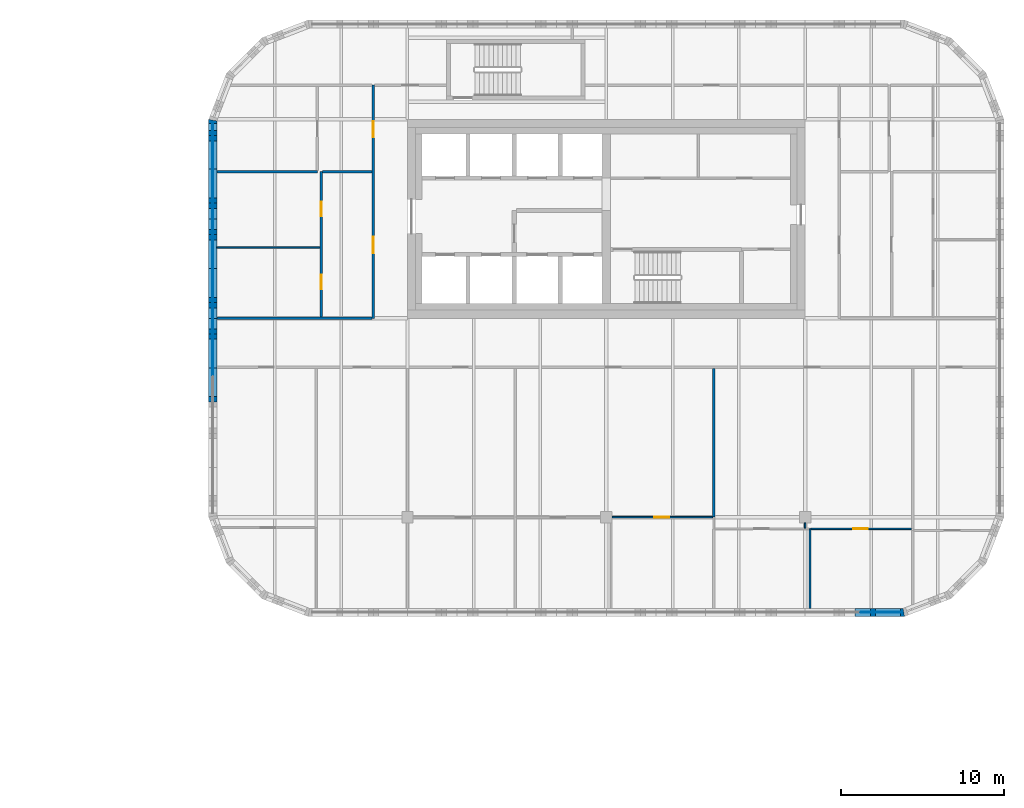
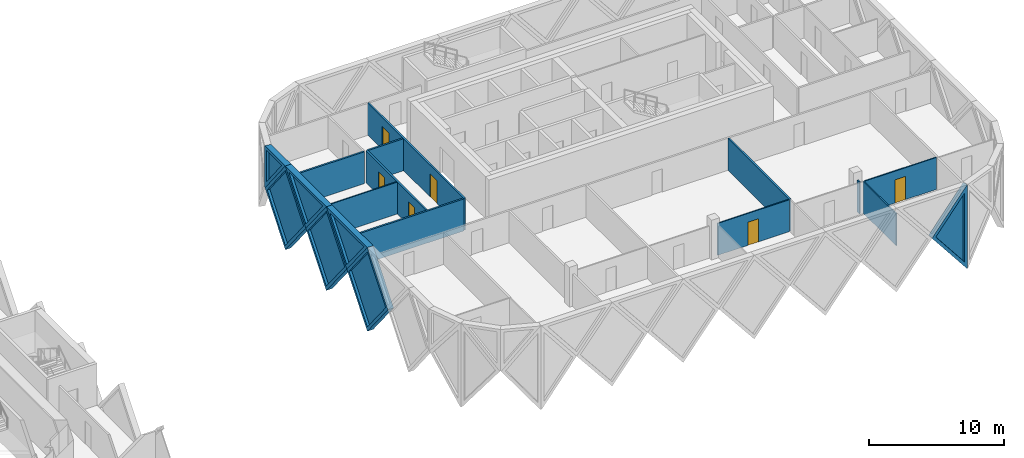
# One storey, part 13 of 21: 18 walls, 7 plates, 6 doors, 13 openings.
"""IFC4 building model written with IfcOpenShell, lengths in metres."""

import ifcopenshell
import ifcopenshell.guid

model = None  # the IFC model being written
_history = None  # IfcOwnerHistory: only IFC2X3 demands one
_inside = {}  # id of a spatial element -> (the spatial element, [elements in it])
_under = {}  # id of a project, library or spatial element -> (it, [spatial elements below it])
_declared = {}  # id of a project -> (the project, [libraries it declares])
_typed = {}  # id of a type object -> (the type object, [elements of that type])
_made_of = {}  # id of a material, layer set ... -> (it, [elements and type objects made of it])


def new_model(schema):
    """Start an empty IFC model of exactly this schema.

    Asked for "IFC4X3", IfcOpenShell would pick the latest addendum, in which some entities
    have other attributes; the version numbers below select the first issue.
    IFC2X3 requires an IfcOwnerHistory on every rooted entity: one is made here for all.
    """
    global model, _history
    if schema == "IFC4X3":
        model = ifcopenshell.file(schema_version=(4, 3, 0, 0))
    else:
        model = ifcopenshell.file(schema=schema)
    _inside.clear()
    _under.clear()
    _declared.clear()
    _typed.clear()
    _made_of.clear()
    _history = None
    if model.schema == "IFC2X3":
        org = make("IfcOrganization", Name="unknown")
        user = make(
            "IfcPersonAndOrganization",
            ThePerson=make("IfcPerson", FamilyName="unknown"),
            TheOrganization=org,
        )
        app = make(
            "IfcApplication",
            ApplicationDeveloper=org,
            Version="unknown",
            ApplicationFullName="unknown",
            ApplicationIdentifier="unknown",
        )
        _history = make(
            "IfcOwnerHistory",
            OwningUser=user,
            OwningApplication=app,
            ChangeAction="ADDED",
            CreationDate=0,
        )
    return model


def make(cls, **values):
    """One entity of the class cls with the attributes given. An attribute that is None is left unset."""
    return model.create_entity(
        cls, **{name: value for name, value in values.items() if value is not None}
    )


def rooted(cls, **values):
    """An entity with a GlobalId (a new one), such as an element, a storey or a relation."""
    return make(cls, GlobalId=ifcopenshell.guid.new(), OwnerHistory=_history, **values)


def si_unit(unit_type, name, prefix=None):
    """IfcSIUnit, for example si_unit("LENGTHUNIT", "METRE", prefix="MILLI")."""
    return make("IfcSIUnit", UnitType=unit_type, Prefix=prefix, Name=name)


def assignment(units):
    """IfcUnitAssignment: the units of a project."""
    return None if units is None else make("IfcUnitAssignment", Units=units)


def point(xyz):
    """IfcCartesianPoint."""
    return None if xyz is None else make("IfcCartesianPoint", Coordinates=xyz)


def direction(xyz):
    """IfcDirection."""
    return None if xyz is None else make("IfcDirection", DirectionRatios=xyz)


def frame(location, z_axis=None, x_axis=None):
    """IfcAxis2Placement3D, a coordinate frame: its origin and axes. An axis left out is left unset."""
    return make(
        "IfcAxis2Placement3D",
        Location=point(location),
        Axis=direction(z_axis),
        RefDirection=direction(x_axis),
    )


def frame_2d(location, x_axis=None):
    """IfcAxis2Placement2D, a coordinate frame in the plane: its origin and x axis."""
    return make(
        "IfcAxis2Placement2D", Location=point(location), RefDirection=direction(x_axis)
    )


def origin():
    """The frame at (0, 0, 0) with its axes left unset."""
    return frame((0.0, 0.0, 0.0))


def place(relative_to, where):
    """IfcLocalPlacement: puts the frame where relative to a parent placement (None: the world)."""
    return make(
        "IfcLocalPlacement", PlacementRelTo=relative_to, RelativePlacement=where
    )


def context(
    kind, dimensions, precision=None, world=None, true_north=None, identifier=None
):
    """IfcGeometricRepresentationContext, for example the 3D "Model" context."""
    return make(
        "IfcGeometricRepresentationContext",
        ContextIdentifier=identifier,
        ContextType=kind,
        CoordinateSpaceDimension=dimensions,
        Precision=precision,
        WorldCoordinateSystem=world,
        TrueNorth=true_north,
    )


def subcontext(parent, identifier, kind, view, scale=None):
    """IfcGeometricRepresentationSubContext, for example "Body" below "Model"."""
    return make(
        "IfcGeometricRepresentationSubContext",
        ContextIdentifier=identifier,
        ContextType=kind,
        ParentContext=parent,
        TargetScale=scale,
        TargetView=view,
    )


def project(units=None, contexts=None):
    """IfcProject with its units and contexts."""
    return rooted(
        "IfcProject",
        Name="project",
        RepresentationContexts=contexts,
        UnitsInContext=assignment(units),
    )


def spatial(cls, under=None, at=None, **own):
    """A site, building, storey or space (cls), placed at a placement, below another one or the project."""
    s = rooted(cls, ObjectPlacement=at, **own)
    if under is not None:
        _under.setdefault(under.id(), (under, []))[1].append(s)
    return s


def polyline(points):
    """IfcPolyline through the points."""
    return make("IfcPolyline", Points=[point(p) for p in points])


def profile(cls, at=None, kind="AREA", **sizes):
    """A parametric profile (cls). Its sizes go by their IFC names, for example OverallWidth=200.0."""
    return make(cls, ProfileType=kind, Position=at, **sizes)


def rectangle(**sizes):
    """IfcRectangleProfileDef."""
    return profile("IfcRectangleProfileDef", **sizes)


def outline(outer, holes=None, kind="AREA"):
    """IfcArbitraryClosedProfileDef: a profile drawn as a closed curve; with holes, ...WithVoids."""
    if holes is None:
        return make("IfcArbitraryClosedProfileDef", ProfileType=kind, OuterCurve=outer)
    return make(
        "IfcArbitraryProfileDefWithVoids",
        ProfileType=kind,
        OuterCurve=outer,
        InnerCurves=holes,
    )


def extrude(swept, where, along, depth):
    """IfcExtrudedAreaSolid: the profile swept, set in the frame where, extruded along a direction by depth."""
    return make(
        "IfcExtrudedAreaSolid",
        SweptArea=swept,
        Position=where,
        ExtrudedDirection=direction(along),
        Depth=depth,
    )


def faces_of(points, faces, orient=None, outer=None):
    """IfcFace entities. A face is a list of loops; a loop is a list of indices into points, from 0.

    orient and outer hold one flag for each loop. By default every Orientation is true, the
    first loop of a face is its IfcFaceOuterBound and the others are IfcFaceBound.
    """
    made = []
    for i, loops in enumerate(faces):
        bounds = []
        for j, loop in enumerate(loops):
            is_outer = j == 0 if outer is None else outer[i][j]
            bounds.append(
                make(
                    "IfcFaceOuterBound" if is_outer else "IfcFaceBound",
                    Bound=make("IfcPolyLoop", Polygon=[points[k] for k in loop]),
                    Orientation=True if orient is None else orient[i][j],
                )
            )
        made.append(make("IfcFace", Bounds=bounds))
    return made


def faceted_brep(points, faces, orient=None, outer=None, voids=None):
    """IfcFacetedBrep: a solid bounded by flat faces; with voids (closed shells), ...WithVoids."""
    shared = [point(p) for p in points]
    hull = make("IfcClosedShell", CfsFaces=faces_of(shared, faces, orient, outer))
    if voids is None:
        return make("IfcFacetedBrep", Outer=hull)
    return make(
        "IfcFacetedBrepWithVoids",
        Outer=hull,
        Voids=[
            make(cls, CfsFaces=faces_of(shared, fs, o, b)) for cls, fs, o, b in voids
        ],
    )


def shape(context_of_items, identifier, shape_type, items):
    """IfcShapeRepresentation: the items that make up one representation, for example the "Body"."""
    return make(
        "IfcShapeRepresentation",
        ContextOfItems=context_of_items,
        RepresentationIdentifier=identifier,
        RepresentationType=shape_type,
        Items=items,
    )


def source(mapping_origin, context_of_items, identifier, shape_type, items):
    """IfcRepresentationMap: a shape defined once, which mapped items show again and again."""
    return make(
        "IfcRepresentationMap",
        MappingOrigin=mapping_origin,
        MappedRepresentation=shape(context_of_items, identifier, shape_type, items),
    )


def transform(
    local_origin,
    x_axis=None,
    y_axis=None,
    z_axis=None,
    scale=None,
    scale2=None,
    scale3=None,
    uniform=True,
):
    """IfcCartesianTransformationOperator3D, or its non-uniform kind. x_axis, y_axis, z_axis: its Axis1, 2, 3."""
    if uniform:
        return make(
            "IfcCartesianTransformationOperator3D",
            Axis1=direction(x_axis),
            Axis2=direction(y_axis),
            LocalOrigin=point(local_origin),
            Scale=scale,
            Axis3=direction(z_axis),
        )
    return make(
        "IfcCartesianTransformationOperator3DnonUniform",
        Axis1=direction(x_axis),
        Axis2=direction(y_axis),
        LocalOrigin=point(local_origin),
        Scale=scale,
        Axis3=direction(z_axis),
        Scale2=scale2,
        Scale3=scale3,
    )


def mapped(mapping_source, mapping_target):
    """IfcMappedItem: shows the shape of a source again, moved by a transform."""
    return make(
        "IfcMappedItem", MappingSource=mapping_source, MappingTarget=mapping_target
    )


def material(Name=None, Category=None):
    """IfcMaterial."""
    return make("IfcMaterial", Name=Name, Category=Category)


def layer(
    of_material, thickness, ventilated=None, Name=None, Category=None, Priority=None
):
    """IfcMaterialLayer: one layer of a wall or slab, of a material (None: an air gap)."""
    return make(
        "IfcMaterialLayer",
        Material=of_material,
        LayerThickness=thickness,
        IsVentilated=ventilated,
        Name=Name,
        Category=Category,
        Priority=Priority,
    )


def layer_set(layers, Name=None):
    """IfcMaterialLayerSet."""
    return make("IfcMaterialLayerSet", MaterialLayers=layers, LayerSetName=Name)


def made_of(thing, what):
    """Note that an element or type object is made of a material, layer set ...; save() writes the relation."""
    if what is not None:
        _made_of.setdefault(what.id(), (what, []))[1].append(thing)
    return thing


def type_object(cls, material=None, **own):
    """A type object (cls), such as IfcWallType, which elements share."""
    return made_of(rooted(cls, **own), material)


def element(
    cls,
    number,
    at=None,
    inside=None,
    cuts=None,
    type_object=None,
    material=None,
    context=None,
    identifier="Body",
    shape_type=None,
    held_by="IfcProductDefinitionShape",
    body=None,
    shapes=None,
    **own,
):
    """One element of the class cls, such as IfcWall. Its Tag is "e" and its number.

    at: its placement. inside: the storey or other place that contains it. cuts: it is an
    opening in that element (IfcRelVoidsElement). A single representation is given by context,
    identifier, shape_type and body (its items); several are given by shapes. held_by: the class
    of the entity that holds the representations. save() writes the other relations.
    """
    e = rooted(cls, Tag="e%d" % number, ObjectPlacement=at, **own)
    if body is not None:
        shapes = [shape(context, identifier, shape_type, body)]
    if shapes is not None:
        e.Representation = make(held_by, Representations=shapes)
    if inside is not None:
        _inside.setdefault(inside.id(), (inside, []))[1].append(e)
    if cuts is not None:
        rooted(
            "IfcRelVoidsElement", RelatingBuildingElement=cuts, RelatedOpeningElement=e
        )
    if type_object is not None:
        _typed.setdefault(type_object.id(), (type_object, []))[1].append(e)
    return made_of(e, material)


def fill(opening, filler):
    """IfcRelFillsElement: the door or window that sits in an opening."""
    return rooted(
        "IfcRelFillsElement",
        RelatingOpeningElement=opening,
        RelatedBuildingElement=filler,
    )


def aggregate(whole, parts):
    """IfcRelAggregates: a whole, such as a stair, and the parts it consists of."""
    return rooted("IfcRelAggregates", RelatingObject=whole, RelatedObjects=parts)


def save(model, path):
    """Write the relations noted so far, then the file.

    IfcRelAggregates (storeys below a building ...), IfcRelContainedInSpatialStructure (elements
    in a storey), IfcRelDefinesByType, IfcRelAssociatesMaterial and IfcRelDeclares: one each for
    every whole, place, type object, material and project.
    """
    for whole, parts in _under.values():
        aggregate(whole, parts)
    for where, things in _inside.values():
        rooted(
            "IfcRelContainedInSpatialStructure",
            RelatedElements=things,
            RelatingStructure=where,
        )
    for kind, things in _typed.values():
        rooted("IfcRelDefinesByType", RelatedObjects=things, RelatingType=kind)
    for what, things in _made_of.values():
        rooted("IfcRelAssociatesMaterial", RelatedObjects=things, RelatingMaterial=what)
    for by, libraries in _declared.values():
        rooted("IfcRelDeclares", RelatingContext=by, RelatedDefinitions=libraries)
    model.write(path)


model = new_model("IFC4")

# Units and contexts
model_context = context("Model", 3, precision=1e-05, world=origin(), true_north=direction((0.0, 1.0)))
body_context = subcontext(model_context, "Body", "Model", "MODEL_VIEW")
ifc_project = project(units=[si_unit("LENGTHUNIT", "METRE"), si_unit("AREAUNIT", "SQUARE_METRE"), si_unit("VOLUMEUNIT", "CUBIC_METRE"), si_unit("PLANEANGLEUNIT", "RADIAN"), si_unit("MASSUNIT", "GRAM", prefix="KILO")], contexts=[model_context])

# Site, building, storey
site_placement = place(None, origin())
site = spatial("IfcSite", under=ifc_project, at=site_placement, CompositionType="ELEMENT")
building_placement = place(site_placement, origin())
building = spatial("IfcBuilding", under=site, at=building_placement, Name="Tessera Gate Towers", CompositionType="ELEMENT")
storey_placement = place(building_placement, frame((0.0, 0.0, 91.39990234375)))
storey = spatial("IfcBuildingStorey", under=building, at=storey_placement, Name="L22", CompositionType="ELEMENT", Elevation=91.39990234375)

# Wall
ifc_material_1 = material(Name="Gypsum board on steel studs, mineral wool", Category="steel")
ifc_layer_1 = layer(ifc_material_1, 0.14990234375)
ifc_layer_set_1 = layer_set([ifc_layer_1], Name="CORRIDOR WALL 150")
wall_type_1 = type_object("IfcWallType", Name="CORRIDOR WALL 150", PredefinedType="PARTITIONING", material=ifc_layer_set_1)
wall_1_placement = place(storey_placement, frame((85.89990234375, 36.60009765625, 0.0), z_axis=(0.0, 0.0, 1.0), x_axis=(1.0, 0.0, 0.0)))
element("IfcWall", 1, at=wall_1_placement, inside=storey, type_object=wall_type_1, Name="T2-L22-PW-022", PredefinedType="PARTITIONING", context=body_context, shape_type="SweptSolid", body=[
    extrude(rectangle(XDim=9.524169921875, YDim=0.14990234375, at=frame_2d((4.76220703125, 0.0))), origin(), (0.0, 0.0, 1.0), 2.89501953125),
])

# Wall, openings, doors
wall_2_placement = place(storey_placement, frame((95.5, 36.60009765625, 0.0), z_axis=(0.0, 0.0, 1.0), x_axis=(0.0, 1.0, 0.0)))
wall_2 = element("IfcWall", 2, at=wall_2_placement, inside=storey, type_object=wall_type_1, Name="T2-L22-PW-023", PredefinedType="PARTITIONING", context=body_context, shape_type="SweptSolid", body=[
    extrude(rectangle(XDim=14.2998046875, YDim=0.14990234375, at=frame_2d((7.14990234375, 0.0))), origin(), (0.0, 0.0, 1.0), 2.89501953125),
])
shared_shape_1 = source(origin(), body_context, "Body", "SweptSolid", [
    extrude(rectangle(XDim=1.0, YDim=2.10009765625, at=frame_2d((0.5, 1.050048828125))), frame((0.0, 0.0849609375, 0.0), z_axis=(0.0, -1.0, 0.0), x_axis=(1.0, 0.0, 0.0)), (0.0, 0.0, 1.0), 0.169921875),
])
opening_1_placement = place(wall_2_placement, frame((11.10107421875, 0.0, 0.0)))
opening_1 = element("IfcOpeningElement", 3, at=opening_1_placement, cuts=wall_2, Name="Opening D2100FD60-B09-03", PredefinedType="OPENING", context=body_context, shape_type="MappedRepresentation", body=[
    mapped(shared_shape_1, transform((0.0, 0.0, 0.0), scale=1.0)),
])
opening_2_placement = place(wall_2_placement, frame((4.0, 0.0, 0.0)))
opening_2 = element("IfcOpeningElement", 4, at=opening_2_placement, cuts=wall_2, Name="Opening D2100FD60-B09-05", PredefinedType="OPENING", context=body_context, shape_type="MappedRepresentation", body=[
    mapped(shared_shape_1, transform((0.0, 0.0, 0.0), scale=1.0)),
])
ifc_material_2 = material(Name="Timber door leaf in steel frame", Category="steel")
door_type_1 = type_object("IfcDoorType", Name="TENANCY ENTRANCE DOOR 1000 FD60", OperationType="NOTDEFINED", PredefinedType="DOOR", material=ifc_material_2)
shared_shape_2 = source(origin(), body_context, "Body", "SweptSolid", [
    extrude(rectangle(XDim=1.0, YDim=2.10009765625, at=frame_2d((0.5, 1.050048828125))), frame((0.0, 0.02490234375, 0.0), z_axis=(0.0, -1.0, 0.0), x_axis=(1.0, 0.0, 0.0)), (0.0, 0.0, 1.0), 0.050048828125),
])
door_1_placement = place(opening_1_placement, origin())
door_1 = element("IfcDoor", 5, at=door_1_placement, inside=storey, type_object=door_type_1, Name="T2-L22-PD-012", OperationType="SINGLE_SWING_LEFT", OverallHeight=2.10009765625, OverallWidth=1.0, PredefinedType="DOOR", context=body_context, shape_type="MappedRepresentation", body=[
    mapped(shared_shape_2, transform((0.0, 0.0, 0.0), scale=1.0)),
])
fill(opening_1, door_1)
door_2_placement = place(opening_2_placement, origin())
door_2 = element("IfcDoor", 6, at=door_2_placement, inside=storey, type_object=door_type_1, Name="T2-L22-PD-023", OperationType="SINGLE_SWING_LEFT", OverallHeight=2.10009765625, OverallWidth=1.0, PredefinedType="DOOR", context=body_context, shape_type="MappedRepresentation", body=[
    mapped(shared_shape_2, transform((0.0, 0.0, 0.0), scale=1.0)),
])
fill(opening_2, door_2)

# Wall, opening, door
ifc_material_3 = material(Name="Glass", Category="glass")
ifc_layer_2 = layer(ifc_material_3, 0.10009765625)
ifc_layer_set_2 = layer_set([ifc_layer_2], Name="GLAZED PARTITION 100")
wall_type_2 = type_object("IfcWallType", Name="GLAZED PARTITION 100", PredefinedType="PARTITIONING", material=ifc_layer_set_2)
wall_3_placement = place(storey_placement, frame((128.52392578125, 23.679931640625, 0.0), z_axis=(0.0, 0.0, 1.0), x_axis=(-1.0, 0.0, 0.0)))
wall_3 = element("IfcWall", 7, at=wall_3_placement, inside=storey, type_object=wall_type_2, Name="T2-L22-PW-011", PredefinedType="PARTITIONING", context=body_context, shape_type="SweptSolid", body=[
    extrude(rectangle(XDim=6.17919921875, YDim=0.10009765625, at=frame_2d((3.089599609375, 0.0))), origin(), (0.0, 0.0, 1.0), 2.89501953125),
])
shared_shape_3 = source(origin(), body_context, "Body", "SweptSolid", [
    extrude(rectangle(XDim=0.89990234375, YDim=2.10009765625, at=frame_2d((0.449951171875, 1.050048828125))), frame((0.0, 0.06005859375, 0.0), z_axis=(0.0, -1.0, 0.0), x_axis=(1.0, 0.0, 0.0)), (0.0, 0.0, 1.0), 0.1201171875),
])
opening_3_placement = place(wall_3_placement, frame((2.67919921875, 0.0, 0.0)))
opening_3 = element("IfcOpeningElement", 8, at=opening_3_placement, cuts=wall_3, Name="Opening D690-B09-05", PredefinedType="OPENING", context=body_context, shape_type="MappedRepresentation", body=[
    mapped(shared_shape_3, transform((0.0, 0.0, 0.0), scale=1.0)),
])
ifc_material_4 = material(Name="Glass in aluminium frame", Category="aluminium")
door_type_2 = type_object("IfcDoorType", Name="GLAZED DOOR 900 NOT RATED", OperationType="NOTDEFINED", PredefinedType="DOOR", material=ifc_material_4)
shared_shape_4 = source(origin(), body_context, "Body", "SweptSolid", [
    extrude(rectangle(XDim=0.89990234375, YDim=2.10009765625, at=frame_2d((0.449951171875, 1.050048828125))), frame((0.0, 0.02490234375, 0.0), z_axis=(0.0, -1.0, 0.0), x_axis=(1.0, 0.0, 0.0)), (0.0, 0.0, 1.0), 0.050048828125),
])
door_3_placement = place(opening_3_placement, origin())
door_3 = element("IfcDoor", 9, at=door_3_placement, inside=storey, type_object=door_type_2, Name="T2-L22-PD-020", OperationType="SINGLE_SWING_RIGHT", OverallHeight=2.10009765625, OverallWidth=0.89990234375, PredefinedType="DOOR", context=body_context, shape_type="MappedRepresentation", body=[
    mapped(shared_shape_4, transform((0.0, 0.0, 0.0), scale=1.0)),
])
fill(opening_3, door_3)

wall_4_placement = place(storey_placement, frame((116.323974609375, 24.39990234375, 0.0), z_axis=(0.0, 0.0, 1.0), x_axis=(-1.0, 0.0, 0.0)))
wall_4 = element("IfcWall", 10, at=wall_4_placement, inside=storey, type_object=wall_type_2, Name="T2-L22-PW-018", PredefinedType="PARTITIONING", context=body_context, shape_type="SweptSolid", body=[
    extrude(rectangle(XDim=6.173095703125, YDim=0.10009765625, at=frame_2d((3.08642578125, 0.0))), origin(), (0.0, 0.0, 1.0), 2.89501953125),
])
opening_4_placement = place(wall_4_placement, frame((2.673095703125, 0.0, 0.0)))
opening_4 = element("IfcOpeningElement", 11, at=opening_4_placement, cuts=wall_4, Name="Opening D690-B09-04", PredefinedType="OPENING", context=body_context, shape_type="MappedRepresentation", body=[
    mapped(shared_shape_3, transform((0.0, 0.0, 0.0), scale=1.0)),
])
door_4_placement = place(opening_4_placement, origin())
door_4 = element("IfcDoor", 12, at=door_4_placement, inside=storey, type_object=door_type_2, Name="T2-L22-PD-019", OperationType="SINGLE_SWING_RIGHT", OverallHeight=2.10009765625, OverallWidth=0.89990234375, PredefinedType="DOOR", context=body_context, shape_type="MappedRepresentation", body=[
    mapped(shared_shape_4, transform((0.0, 0.0, 0.0), scale=1.0)),
])
fill(opening_4, door_4)

# Walls
ifc_material_5 = material(Name="Gypsum board on steel studs", Category="steel")
ifc_layer_3 = layer(ifc_material_5, 0.10009765625)
ifc_layer_set_3 = layer_set([ifc_layer_3], Name="PARTITION 100")
wall_type_3 = type_object("IfcWallType", Name="PARTITION 100", PredefinedType="PARTITIONING", material=ifc_layer_set_3)
wall_5_placement = place(storey_placement, frame((122.2939453125, 18.800048828125, 0.0), z_axis=(0.0, 0.0, 1.0), x_axis=(0.0, 1.0, 0.0)))
element("IfcWall", 13, at=wall_5_placement, inside=storey, type_object=wall_type_3, Name="T2-L22-PW-006", PredefinedType="PARTITIONING", context=body_context, shape_type="SweptSolid", body=[
    extrude(rectangle(XDim=4.8798828125, YDim=0.10009765625, at=frame_2d((2.43994140625, 0.0))), origin(), (0.0, 0.0, 1.0), 2.89501953125),
])
wall_6_placement = place(storey_placement, frame((122.0, 24.050048828125, 0.0), z_axis=(0.0, 0.0, 1.0), x_axis=(0.0, -1.0, 0.0)))
element("IfcWall", 14, at=wall_6_placement, inside=storey, type_object=wall_type_3, Name="T2-L22-PW-015", PredefinedType="PARTITIONING", context=body_context, shape_type="SweptSolid", body=[
    extrude(rectangle(XDim=0.320068359375, YDim=0.10009765625, at=frame_2d((0.16015625, 0.0))), origin(), (0.0, 0.0, 1.0), 2.89501953125),
])
wall_7_placement = place(storey_placement, frame((85.89990234375, 40.947998046875, 0.0), z_axis=(0.0, 0.0, 1.0), x_axis=(1.0, 0.0, 0.0)))
element("IfcWall", 15, at=wall_7_placement, inside=storey, type_object=wall_type_3, Name="T2-L22-PW-029", PredefinedType="PARTITIONING", context=body_context, shape_type="SweptSolid", body=[
    extrude(rectangle(XDim=6.32421875, YDim=0.10009765625, at=frame_2d((3.162109375, 0.0))), origin(), (0.0, 0.0, 1.0), 2.89501953125),
])
ifc_material_6 = material(Name="Gypsum board on steel studs, mineral wool", Category="steel")
ifc_layer_4 = layer(ifc_material_6, 0.14990234375)
ifc_layer_set_4 = layer_set([ifc_layer_4], Name="TENANCY WALL 150")
wall_type_4 = type_object("IfcWallType", Name="TENANCY WALL 150", PredefinedType="PARTITIONING", material=ifc_layer_set_4)
wall_8_placement = place(storey_placement, frame((116.39990234375, 24.39990234375, 0.0), z_axis=(0.0, 0.0, 1.0), x_axis=(0.0, 1.0, 0.0)))
element("IfcWall", 16, at=wall_8_placement, inside=storey, type_object=wall_type_4, Name="T2-L22-PW-019", PredefinedType="PARTITIONING", context=body_context, shape_type="SweptSolid", body=[
    extrude(rectangle(XDim=9.1240234375, YDim=0.14990234375, at=frame_2d((4.56201171875, 0.0))), origin(), (0.0, 0.0, 1.0), 2.89501953125),
])

# Wall, openings, doors
wall_9_placement = place(storey_placement, frame((92.300048828125, 36.676025390625, 0.0), z_axis=(0.0, 0.0, 1.0), x_axis=(0.0, 1.0, 0.0)))
wall_9 = element("IfcWall", 17, at=wall_9_placement, inside=storey, type_object=wall_type_4, Name="T2-L22-PW-026", PredefinedType="PARTITIONING", context=body_context, shape_type="SweptSolid", body=[
    extrude(rectangle(XDim=8.924072265625, YDim=0.14990234375, at=frame_2d((4.4619140625, 0.0))), origin(), (0.0, 0.0, 1.0), 2.89501953125),
])
shared_shape_5 = source(origin(), body_context, "Body", "SweptSolid", [
    extrude(rectangle(XDim=0.89990234375, YDim=2.10009765625, at=frame_2d((0.449951171875, 1.050048828125))), frame((0.0, 0.0849609375, 0.0), z_axis=(0.0, -1.0, 0.0), x_axis=(1.0, 0.0, 0.0)), (0.0, 0.0, 1.0), 0.169921875),
])
opening_5_placement = place(wall_9_placement, frame((1.699951171875, 0.0, 0.0)))
opening_5 = element("IfcOpeningElement", 18, at=opening_5_placement, cuts=wall_9, Name="Opening D190-B09-02", PredefinedType="OPENING", context=body_context, shape_type="MappedRepresentation", body=[
    mapped(shared_shape_5, transform((0.0, 0.0, 0.0), scale=1.0)),
])
opening_6_placement = place(wall_9_placement, frame((6.171875, 0.0, 0.0)))
opening_6 = element("IfcOpeningElement", 19, at=opening_6_placement, cuts=wall_9, Name="Opening D190-B09-03", PredefinedType="OPENING", context=body_context, shape_type="MappedRepresentation", body=[
    mapped(shared_shape_5, transform((0.0, 0.0, 0.0), scale=1.0)),
])
ifc_material_7 = material(Name="Timber door leaf in steel frame", Category="steel")
door_type_3 = type_object("IfcDoorType", Name="INTERNAL DOOR 900 NOT RATED", OperationType="NOTDEFINED", PredefinedType="DOOR", material=ifc_material_7)
door_5_placement = place(opening_5_placement, origin())
door_5 = element("IfcDoor", 20, at=door_5_placement, inside=storey, type_object=door_type_3, Name="T2-L22-PD-002", OperationType="SINGLE_SWING_LEFT", OverallHeight=2.10009765625, OverallWidth=0.89990234375, PredefinedType="DOOR", context=body_context, shape_type="MappedRepresentation", body=[
    mapped(shared_shape_4, transform((0.0, 0.0, 0.0), scale=1.0)),
])
fill(opening_5, door_5)
door_6_placement = place(opening_6_placement, origin())
door_6 = element("IfcDoor", 21, at=door_6_placement, inside=storey, type_object=door_type_3, Name="T2-L22-PD-004", OperationType="SINGLE_SWING_LEFT", OverallHeight=2.10009765625, OverallWidth=0.89990234375, PredefinedType="DOOR", context=body_context, shape_type="MappedRepresentation", body=[
    mapped(shared_shape_4, transform((0.0, 0.0, 0.0), scale=1.0)),
])
fill(opening_6, door_6)

# Walls
wall_10_placement = place(storey_placement, frame((85.89990234375, 45.60009765625, 0.0), z_axis=(0.0, 0.0, 1.0), x_axis=(1.0, 0.0, 0.0)))
element("IfcWall", 22, at=wall_10_placement, inside=storey, type_object=wall_type_4, Name="T2-L22-PW-031", PredefinedType="PARTITIONING", context=body_context, shape_type="SweptSolid", body=[
    extrude(rectangle(XDim=6.175048828125, YDim=0.14990234375, at=frame_2d((3.08740234375, 0.0))), origin(), (0.0, 0.0, 1.0), 2.89501953125),
])
wall_11_placement = place(storey_placement, frame((92.3759765625, 45.60009765625, 0.0), z_axis=(0.0, 0.0, 1.0), x_axis=(1.0, 0.0, 0.0)))
element("IfcWall", 23, at=wall_11_placement, inside=storey, type_object=wall_type_4, Name="T2-L22-PW-032", PredefinedType="PARTITIONING", context=body_context, shape_type="SweptSolid", body=[
    extrude(rectangle(XDim=3.048095703125, YDim=0.14990234375, at=frame_2d((1.52392578125, 0.0))), origin(), (0.0, 0.0, 1.0), 2.89501953125),
])

# Wall, opening, plate
ifc_material_8 = material(Name="Precast concrete C60/75 white", Category="concrete")
ifc_layer_5 = layer(ifc_material_8, 0.5)
ifc_layer_set_5 = layer_set([ifc_layer_5], Name="TS1 tessera")
wall_type_5 = type_object("IfcWallType", Name="TS1 tessera", PredefinedType="SOLIDWALL", material=ifc_layer_set_5)
shared_shape_6 = source(origin(), body_context, "Body", "Brep", [
    faceted_brep([(3.050048828125, -0.25, 0.0), (6.099853515625, -0.25, 3.799560546875), (6.099853515625, -0.25, 3.800048828125), (3.050048828125, -0.25, 7.599853515625), (0.0, -0.25, 3.7998046875), (0.0, 0.25, 3.7998046875), (3.050048828125, 0.25, 7.599853515625), (6.099853515625, 0.25, 3.800048828125), (6.099853515625, 0.25, 3.799560546875), (3.050048828125, 0.25, 0.0)], [[[0, 1, 2, 3, 4]], [[5, 6, 7, 8, 9]], [[9, 8, 1, 0]], [[7, 6, 3, 2]], [[6, 5, 4, 3]], [[5, 9, 0, 4]], [[1, 8, 7, 2]]]),
])
wall_12_placement = place(storey_placement, frame((85.64990234375, 42.699951171875, -3.7998046875), z_axis=(0.0, 0.0, 1.0), x_axis=(0.0, -1.0, 0.0)))
wall_12 = element("IfcWall", 24, at=wall_12_placement, inside=storey, type_object=wall_type_5, Name="Precast tessera T2 TS1-0285", PredefinedType="SOLIDWALL", context=body_context, shape_type="MappedRepresentation", body=[
    mapped(shared_shape_6, transform((0.0, 0.0, 0.0), scale=1.0)),
])
shared_shape_7 = source(origin(), body_context, "Body", "SweptSolid", [
    extrude(outline(polyline([(3.050048828125, 0.3994140625), (5.779541015625, 3.7998046875), (3.050048828125, 7.200439453125), (0.320556640625, 3.7998046875), (3.050048828125, 0.3994140625)])), frame((0.0, 0.260009765625, 0.0), z_axis=(0.0, -1.0, 0.0), x_axis=(1.0, 0.0, 0.0)), (0.0, 0.0, 1.0), 0.52001953125),
])
opening_7_placement = place(wall_12_placement, origin())
opening_7 = element("IfcOpeningElement", 25, at=opening_7_placement, cuts=wall_12, Name="Opening T2-PL2-0539", PredefinedType="OPENING", context=body_context, shape_type="MappedRepresentation", body=[
    mapped(shared_shape_7, transform((0.0, 0.0, 0.0), scale=1.0)),
])
ifc_material_9 = material(Name="Low-e laminated glass", Category="glass")
ifc_layer_6 = layer(ifc_material_9, 0.06005859375)
ifc_layer_set_6 = layer_set([ifc_layer_6], Name="PL2 rhombic pane")
plate_type_1 = type_object("IfcPlateType", Name="PL2 rhombic pane", PredefinedType="SHEET", material=ifc_layer_set_6)
shared_shape_8 = source(origin(), body_context, "Body", "SweptSolid", [
    extrude(outline(polyline([(3.050048828125, 0.3994140625), (5.779541015625, 3.7998046875), (3.050048828125, 7.200439453125), (0.320556640625, 3.7998046875), (3.050048828125, 0.3994140625)])), frame((0.0, 0.030029296875, 0.0), z_axis=(0.0, -1.0, 0.0), x_axis=(1.0, 0.0, 0.0)), (0.0, 0.0, 1.0), 0.06005859375),
])
plate_1_placement = place(opening_7_placement, origin())
plate_1 = element("IfcPlate", 26, at=plate_1_placement, inside=storey, type_object=plate_type_1, Name="Glass pane T2 PL2-0539", PredefinedType="SHEET", context=body_context, shape_type="MappedRepresentation", body=[
    mapped(shared_shape_8, transform((0.0, 0.0, 0.0), scale=1.0)),
])
fill(opening_7, plate_1)

shared_shape_9 = source(origin(), body_context, "Body", "SweptSolid", [
    extrude(outline(polyline([(3.050048828125, 0.0), (6.10009765625, 3.7998046875), (3.050048828125, 7.599853515625), (0.0, 3.7998046875), (3.050048828125, 0.0)])), frame((0.0, 0.25, 0.0), z_axis=(0.0, -1.0, 0.0), x_axis=(1.0, 0.0, 0.0)), (0.0, 0.0, 1.0), 0.5),
])
wall_13_placement = place(storey_placement, frame((85.64990234375, 36.60009765625, -3.7998046875), z_axis=(0.0, 0.0, 1.0), x_axis=(0.0, -1.0, 0.0)))
wall_13 = element("IfcWall", 27, at=wall_13_placement, inside=storey, type_object=wall_type_5, Name="Precast tessera T2 TS1-0286", PredefinedType="SOLIDWALL", context=body_context, shape_type="MappedRepresentation", body=[
    mapped(shared_shape_9, transform((0.0, 0.0, 0.0), scale=1.0)),
])
opening_8_placement = place(wall_13_placement, origin())
opening_8 = element("IfcOpeningElement", 28, at=opening_8_placement, cuts=wall_13, Name="Opening T2-PL2-0540", PredefinedType="OPENING", context=body_context, shape_type="MappedRepresentation", body=[
    mapped(shared_shape_7, transform((0.0, 0.0, 0.0), scale=1.0)),
])
plate_2_placement = place(opening_8_placement, origin())
plate_2 = element("IfcPlate", 29, at=plate_2_placement, inside=storey, type_object=plate_type_1, Name="Glass pane T2 PL2-0540", PredefinedType="SHEET", context=body_context, shape_type="MappedRepresentation", body=[
    mapped(shared_shape_8, transform((0.0, 0.0, 0.0), scale=1.0)),
])
fill(opening_8, plate_2)

ifc_material_10 = material(Name="Precast concrete C60/75 white", Category="concrete")
ifc_layer_7 = layer(ifc_material_10, 0.5)
ifc_layer_set_7 = layer_set([ifc_layer_7], Name="TS3 corner tessera")
wall_type_6 = type_object("IfcWallType", Name="TS3 corner tessera", PredefinedType="SOLIDWALL", material=ifc_layer_set_7)
shared_shape_10 = source(origin(), body_context, "Body", "Brep", [
    faceted_brep([(3.00341796875, -0.25, 0.0), (3.050048828125, -0.25, 0.06005859375), (3.050048828125, -0.25, 7.539794921875), (3.00341796875, -0.25, 7.599853515625), (0.0, -0.25, 3.7998046875), (0.0, 0.25, 3.7998046875), (2.956787109375, 0.25, 7.541015625), (2.956787109375, 0.25, 0.058837890625), (3.00341796875, 0.000244140625, 0.0), (3.00341796875, 0.000244140625, 7.599853515625)], [[[0, 1, 2, 3, 4]], [[5, 6, 7]], [[1, 0, 8]], [[9, 3, 2]], [[6, 5, 4, 3, 9]], [[5, 7, 8, 0, 4]], [[1, 8, 7, 6, 9, 2]]]),
])
wall_14_placement = place(storey_placement, frame((125.050048828125, 18.550048828125, -3.7998046875), z_axis=(0.0, 0.0, 1.0), x_axis=(1.0, 0.0, 0.0)))
wall_14 = element("IfcWall", 30, at=wall_14_placement, inside=storey, type_object=wall_type_6, Name="Precast corner tessera T2 TS3-0323", PredefinedType="SOLIDWALL", context=body_context, shape_type="MappedRepresentation", body=[
    mapped(shared_shape_10, transform((0.0, 0.0, 0.0), scale=1.0)),
])
shared_shape_11 = source(origin(), body_context, "Body", "SweptSolid", [
    extrude(outline(polyline([(2.803466796875, 6.943603515625), (0.318603515625, 3.7998046875), (2.803466796875, 0.656005859375), (2.803466796875, 6.943603515625)])), frame((0.0, 0.260009765625, 0.0), z_axis=(0.0, -1.0, 0.0), x_axis=(1.0, 0.0, 0.0)), (0.0, 0.0, 1.0), 0.52001953125),
])
opening_9_placement = place(wall_14_placement, origin())
opening_9 = element("IfcOpeningElement", 31, at=opening_9_placement, cuts=wall_14, Name="Opening T2-PL2-0517", PredefinedType="OPENING", context=body_context, shape_type="MappedRepresentation", body=[
    mapped(shared_shape_11, transform((0.0, 0.0, 0.0), scale=1.0)),
])
shared_shape_12 = source(origin(), body_context, "Body", "SweptSolid", [
    extrude(outline(polyline([(2.803466796875, 6.943603515625), (0.318603515625, 3.7998046875), (2.803466796875, 0.656005859375), (2.803466796875, 6.943603515625)])), frame((0.0, 0.030029296875, 0.0), z_axis=(0.0, -1.0, 0.0), x_axis=(1.0, 0.0, 0.0)), (0.0, 0.0, 1.0), 0.06005859375),
])
plate_3_placement = place(opening_9_placement, origin())
plate_3 = element("IfcPlate", 32, at=plate_3_placement, inside=storey, type_object=plate_type_1, Name="Glass pane T2 PL2-0517", PredefinedType="SHEET", context=body_context, shape_type="MappedRepresentation", body=[
    mapped(shared_shape_12, transform((0.0, 0.0, 0.0), scale=1.0)),
])
fill(opening_9, plate_3)

shared_shape_13 = source(origin(), body_context, "Body", "Brep", [
    faceted_brep([(3.00341796875, -0.25, 0.0), (6.053466796875, -0.25, 3.7998046875), (3.00341796875, -0.25, 7.599853515625), (0.0, -0.25, 3.7998046875), (0.046630859375, 0.25, 3.858642578125), (3.00341796875, 0.25, 7.599853515625), (6.053466796875, 0.25, 3.7998046875), (3.00341796875, 0.25, 0.0), (0.046630859375, 0.25, 3.740966796875), (0.0, 0.0, 3.7998046875)], [[[0, 1, 2, 3]], [[4, 5, 6, 7, 8]], [[7, 6, 1, 0]], [[6, 5, 2, 1]], [[5, 4, 9, 3, 2]], [[8, 7, 0, 3, 9]], [[8, 9, 4]]]),
])
wall_15_placement = place(storey_placement, frame((85.64990234375, 48.75341796875, -3.7998046875), z_axis=(0.0, 0.0, 1.0), x_axis=(0.0, -1.0, 0.0)))
wall_15 = element("IfcWall", 33, at=wall_15_placement, inside=storey, type_object=wall_type_5, Name="Precast tessera T2 TS1-0284", PredefinedType="SOLIDWALL", context=body_context, shape_type="MappedRepresentation", body=[
    mapped(shared_shape_13, transform((0.0, 0.0, 0.0), scale=1.0)),
])
shared_shape_14 = source(origin(), body_context, "Body", "SweptSolid", [
    extrude(outline(polyline([(3.0048828125, 0.401123046875), (5.73291015625, 3.7998046875), (3.0048828125, 7.19873046875), (0.318603515625, 3.7998046875), (3.0048828125, 0.401123046875)])), frame((0.0, 0.260009765625, 0.0), z_axis=(0.0, -1.0, 0.0), x_axis=(1.0, 0.0, 0.0)), (0.0, 0.0, 1.0), 0.52001953125),
])
opening_10_placement = place(wall_15_placement, origin())
opening_10 = element("IfcOpeningElement", 34, at=opening_10_placement, cuts=wall_15, Name="Opening T2-PL2-0538", PredefinedType="OPENING", context=body_context, shape_type="MappedRepresentation", body=[
    mapped(shared_shape_14, transform((0.0, 0.0, 0.0), scale=1.0)),
])
shared_shape_15 = source(origin(), body_context, "Body", "SweptSolid", [
    extrude(outline(polyline([(3.0048828125, 0.401123046875), (5.73291015625, 3.7998046875), (3.0048828125, 7.19873046875), (0.318603515625, 3.7998046875), (3.0048828125, 0.401123046875)])), frame((0.0, 0.030029296875, 0.0), z_axis=(0.0, -1.0, 0.0), x_axis=(1.0, 0.0, 0.0)), (0.0, 0.0, 1.0), 0.06005859375),
])
plate_4_placement = place(opening_10_placement, origin())
plate_4 = element("IfcPlate", 35, at=plate_4_placement, inside=storey, type_object=plate_type_1, Name="Glass pane T2 PL2-0538", PredefinedType="SHEET", context=body_context, shape_type="MappedRepresentation", body=[
    mapped(shared_shape_15, transform((0.0, 0.0, 0.0), scale=1.0)),
])
fill(opening_10, plate_4)

shared_shape_16 = source(origin(), body_context, "Body", "Brep", [
    faceted_brep([(0.046630859375, -0.25, 0.0), (3.050048828125, -0.25, 3.800048828125), (0.0, -0.25, 3.800048828125), (0.0, -0.25, 0.06005859375), (0.09326171875, 0.25, 3.800048828125), (3.050048828125, 0.25, 3.800048828125), (0.09326171875, 0.25, 0.058837890625), (0.046630859375, 0.0, 0.0)], [[[0, 1, 2, 3]], [[4, 5, 6]], [[6, 5, 1, 0, 7]], [[5, 4, 2, 1]], [[7, 0, 3]], [[6, 7, 3, 2, 4]]]),
])
wall_16_placement = place(storey_placement, frame((85.64990234375, 48.800048828125, 0.0), z_axis=(0.0, 0.0, 1.0), x_axis=(0.0, -1.0, 0.0)))
wall_16 = element("IfcWall", 36, at=wall_16_placement, inside=storey, type_object=wall_type_6, Name="Precast corner tessera T2 TS3-0348", PredefinedType="SOLIDWALL", context=body_context, shape_type="MappedRepresentation", body=[
    mapped(shared_shape_16, transform((0.0, 0.0, 0.0), scale=1.0)),
])
shared_shape_17 = source(origin(), body_context, "Body", "SweptSolid", [
    extrude(outline(polyline([(0.24658203125, 0.65625), (2.533935546875, 3.550048828125), (0.24658203125, 3.550048828125), (0.24658203125, 0.65625)])), frame((0.0, 0.260009765625, 0.0), z_axis=(0.0, -1.0, 0.0), x_axis=(1.0, 0.0, 0.0)), (0.0, 0.0, 1.0), 0.52001953125),
])
opening_11_placement = place(wall_16_placement, origin())
opening_11 = element("IfcOpeningElement", 37, at=opening_11_placement, cuts=wall_16, Name="Opening T2-PL1-0196", PredefinedType="OPENING", context=body_context, shape_type="MappedRepresentation", body=[
    mapped(shared_shape_17, transform((0.0, 0.0, 0.0), scale=1.0)),
])
ifc_material_11 = material(Name="Low-e laminated glass", Category="glass")
ifc_layer_8 = layer(ifc_material_11, 0.06005859375)
ifc_layer_set_8 = layer_set([ifc_layer_8], Name="PL1 triangular pane")
plate_type_2 = type_object("IfcPlateType", Name="PL1 triangular pane", PredefinedType="SHEET", material=ifc_layer_set_8)
shared_shape_18 = source(origin(), body_context, "Body", "SweptSolid", [
    extrude(outline(polyline([(0.24658203125, 0.65625), (2.533935546875, 3.550048828125), (0.24658203125, 3.550048828125), (0.24658203125, 0.65625)])), frame((0.0, 0.030029296875, 0.0), z_axis=(0.0, -1.0, 0.0), x_axis=(1.0, 0.0, 0.0)), (0.0, 0.0, 1.0), 0.06005859375),
])
plate_5_placement = place(opening_11_placement, origin())
plate_5 = element("IfcPlate", 38, at=plate_5_placement, inside=storey, type_object=plate_type_2, Name="Glass pane T2 PL1-0196", PredefinedType="SHEET", context=body_context, shape_type="MappedRepresentation", body=[
    mapped(shared_shape_18, transform((0.0, 0.0, 0.0), scale=1.0)),
])
fill(opening_11, plate_5)

ifc_material_12 = material(Name="Precast concrete C60/75 white", Category="concrete")
ifc_layer_9 = layer(ifc_material_12, 0.5)
ifc_layer_set_9 = layer_set([ifc_layer_9], Name="TS2 half tessera")
wall_type_7 = type_object("IfcWallType", Name="TS2 half tessera", PredefinedType="SOLIDWALL", material=ifc_layer_set_9)
shared_shape_19 = source(origin(), body_context, "Body", "Brep", [
    faceted_brep([(3.050048828125, -0.25, 0.0), (6.099853515625, -0.25, 3.7998046875), (6.099853515625, -0.25, 3.800048828125), (0.0, -0.25, 3.800048828125), (0.0, 0.25, 3.800048828125), (6.099853515625, 0.25, 3.800048828125), (6.099853515625, 0.25, 3.7998046875), (3.050048828125, 0.25, 0.0)], [[[0, 1, 2, 3]], [[4, 5, 6, 7]], [[7, 6, 1, 0]], [[5, 4, 3, 2]], [[4, 7, 0, 3]], [[1, 6, 5, 2]]]),
])
wall_17_placement = place(storey_placement, frame((85.64990234375, 39.64990234375, 0.0), z_axis=(0.0, 0.0, 1.0), x_axis=(0.0, -1.0, 0.0)))
wall_17 = element("IfcWall", 39, at=wall_17_placement, inside=storey, type_object=wall_type_7, Name="Precast half tessera T2 TS2-0106", PredefinedType="SOLIDWALL", context=body_context, shape_type="MappedRepresentation", body=[
    mapped(shared_shape_19, transform((0.0, 0.0, 0.0), scale=1.0)),
])
shared_shape_20 = source(origin(), body_context, "Body", "SweptSolid", [
    extrude(outline(polyline([(3.050048828125, 0.3994140625), (5.578857421875, 3.550048828125), (0.521240234375, 3.550048828125), (3.050048828125, 0.3994140625)])), frame((0.0, 0.260009765625, 0.0), z_axis=(0.0, -1.0, 0.0), x_axis=(1.0, 0.0, 0.0)), (0.0, 0.0, 1.0), 0.52001953125),
])
opening_12_placement = place(wall_17_placement, origin())
opening_12 = element("IfcOpeningElement", 40, at=opening_12_placement, cuts=wall_17, Name="Opening T2-PL1-0198", PredefinedType="OPENING", context=body_context, shape_type="MappedRepresentation", body=[
    mapped(shared_shape_20, transform((0.0, 0.0, 0.0), scale=1.0)),
])
shared_shape_21 = source(origin(), body_context, "Body", "SweptSolid", [
    extrude(outline(polyline([(3.050048828125, 0.3994140625), (5.578857421875, 3.550048828125), (0.521240234375, 3.550048828125), (3.050048828125, 0.3994140625)])), frame((0.0, 0.030029296875, 0.0), z_axis=(0.0, -1.0, 0.0), x_axis=(1.0, 0.0, 0.0)), (0.0, 0.0, 1.0), 0.06005859375),
])
plate_6_placement = place(opening_12_placement, origin())
plate_6 = element("IfcPlate", 41, at=plate_6_placement, inside=storey, type_object=plate_type_2, Name="Glass pane T2 PL1-0198", PredefinedType="SHEET", context=body_context, shape_type="MappedRepresentation", body=[
    mapped(shared_shape_21, transform((0.0, 0.0, 0.0), scale=1.0)),
])
fill(opening_12, plate_6)

shared_shape_22 = source(origin(), body_context, "Body", "SweptSolid", [
    extrude(outline(polyline([(3.050048828125, 0.0), (6.10009765625, 3.800048828125), (0.0, 3.800048828125), (3.050048828125, 0.0)])), frame((0.0, 0.25, 0.0), z_axis=(0.0, -1.0, 0.0), x_axis=(1.0, 0.0, 0.0)), (0.0, 0.0, 1.0), 0.5),
])
wall_18_placement = place(storey_placement, frame((85.64990234375, 45.75, 0.0), z_axis=(0.0, 0.0, 1.0), x_axis=(0.0, -1.0, 0.0)))
wall_18 = element("IfcWall", 42, at=wall_18_placement, inside=storey, type_object=wall_type_7, Name="Precast half tessera T2 TS2-0105", PredefinedType="SOLIDWALL", context=body_context, shape_type="MappedRepresentation", body=[
    mapped(shared_shape_22, transform((0.0, 0.0, 0.0), scale=1.0)),
])
opening_13_placement = place(wall_18_placement, origin())
opening_13 = element("IfcOpeningElement", 43, at=opening_13_placement, cuts=wall_18, Name="Opening T2-PL1-0197", PredefinedType="OPENING", context=body_context, shape_type="MappedRepresentation", body=[
    mapped(shared_shape_20, transform((0.0, 0.0, 0.0), scale=1.0)),
])
plate_7_placement = place(opening_13_placement, origin())
plate_7 = element("IfcPlate", 44, at=plate_7_placement, inside=storey, type_object=plate_type_2, Name="Glass pane T2 PL1-0197", PredefinedType="SHEET", context=body_context, shape_type="MappedRepresentation", body=[
    mapped(shared_shape_21, transform((0.0, 0.0, 0.0), scale=1.0)),
])
fill(opening_13, plate_7)

save(model, "model.ifc")
